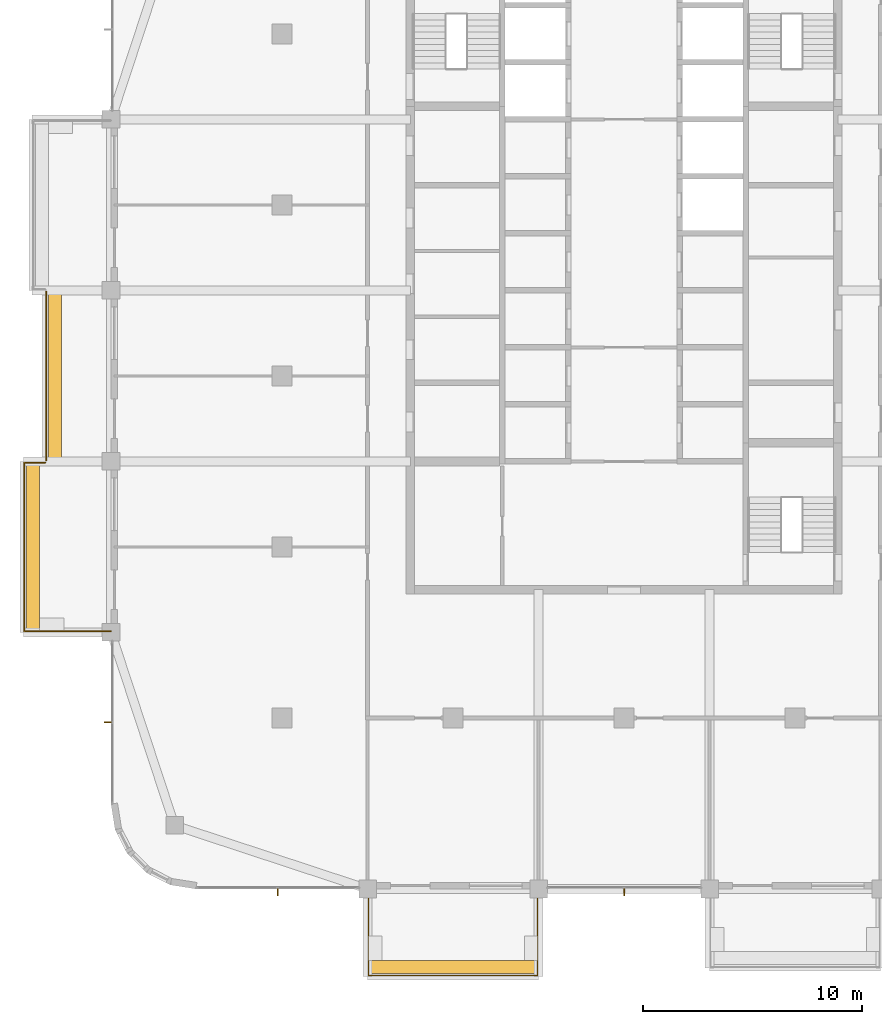
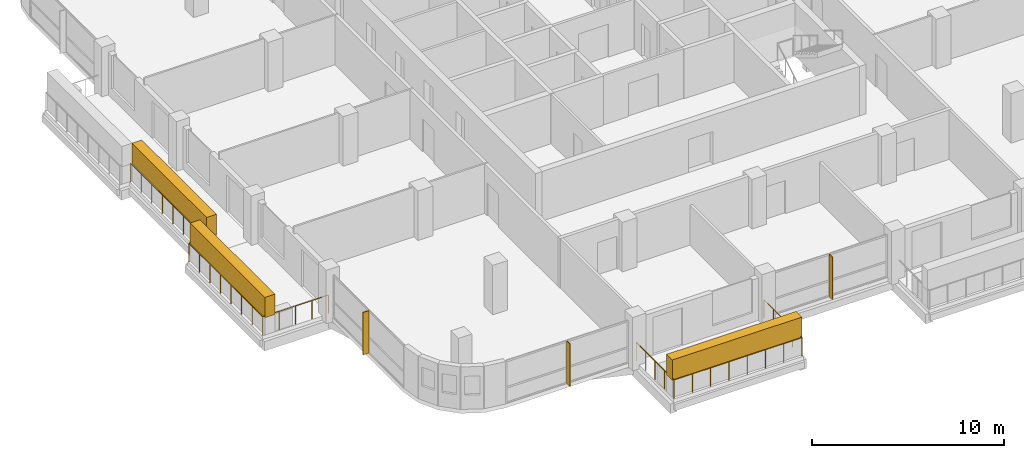
# One storey, part 19 of 22: 3 coverings, 3 railings, 3 shading devices.
"""IFC4 building model written with IfcOpenShell, lengths in metres."""

from ifc_helpers import new_model, si_unit, direction, frame, origin, origin_2d, place, context, subcontext, project, spatial, rectangle, circle, extrude, material, layer, layer_set, type_object, element, save


model = new_model("IFC4")

# Units and contexts
model_context = context("Model", 3, precision=1e-05, world=origin(), true_north=direction((0.0, 1.0)))
body_context = subcontext(model_context, "Body", "Model", "MODEL_VIEW")
ifc_project = project(units=[si_unit("LENGTHUNIT", "METRE"), si_unit("AREAUNIT", "SQUARE_METRE"), si_unit("VOLUMEUNIT", "CUBIC_METRE"), si_unit("PLANEANGLEUNIT", "RADIAN"), si_unit("MASSUNIT", "GRAM", prefix="KILO")], contexts=[model_context])

# Site, building, storey
site_placement = place(None, origin())
site = spatial("IfcSite", under=ifc_project, at=site_placement, CompositionType="ELEMENT")
building_placement = place(site_placement, origin())
building = spatial("IfcBuilding", under=site, at=building_placement, Name="Ludao Terraces", CompositionType="ELEMENT")
storey_placement = place(building_placement, frame((0.0, 0.0, 200.699951171875)))
storey = spatial("IfcBuildingStorey", under=building, at=storey_placement, Name="L54", CompositionType="ELEMENT", Elevation=200.699951171875)

# Railings
ifc_material_1 = material(Name="Stainless steel 304", Category="steel")
railing_type = type_object("IfcRailingType", Name="ENV Balcony glass guard 1200", PredefinedType="GUARDRAIL", material=ifc_material_1)
railing_1_placement = place(storey_placement, frame((73.35009765625, 41.60009765625, 0.0)))
element("IfcRailing", 1, at=railing_1_placement, inside=storey, type_object=railing_type, Name="Balcony guard L54 S1", PredefinedType="GUARDRAIL", context=body_context, shape_type="SweptSolid", body=[
    extrude(circle(Radius=0.02392578125, at=origin_2d()), frame((0.0, 0.0, 1.17578125), z_axis=(0.0, -1.0, 0.0), x_axis=(1.0, 0.0, 0.0)), (0.0, 0.0, 1.0), 3.9501953125),
    extrude(circle(Radius=0.02392578125, at=origin_2d()), frame((0.0, -3.9501953125, 1.17578125), z_axis=(1.0, 0.0, 0.0), x_axis=(0.0, 1.0, 0.0)), (0.0, 0.0, 1.0), 7.699951171875),
    extrude(circle(Radius=0.02392578125, at=origin_2d()), frame((7.699951171875, -3.9501953125, 1.17578125), z_axis=(0.0, 1.0, 0.0), x_axis=(-1.0, 0.0, 0.0)), (0.0, 0.0, 1.0), 3.9501953125),
    extrude(circle(Radius=0.02099609375, at=origin_2d()), origin(), (0.0, 0.0, 1.0), 1.15185546875),
    extrude(circle(Radius=0.02099609375, at=origin_2d()), frame((0.0, -0.987548828125, 0.0)), (0.0, 0.0, 1.0), 1.15185546875),
    extrude(circle(Radius=0.02099609375, at=origin_2d()), frame((0.0, -1.97509765625, 0.0)), (0.0, 0.0, 1.0), 1.15185546875),
    extrude(circle(Radius=0.02099609375, at=origin_2d()), frame((0.0, -2.962646484375, 0.0)), (0.0, 0.0, 1.0), 1.15185546875),
    extrude(circle(Radius=0.02099609375, at=origin_2d()), frame((0.0, -3.9501953125, 0.0)), (0.0, 0.0, 1.0), 1.15185546875),
    extrude(circle(Radius=0.02099609375, at=origin_2d()), frame((1.10009765625, -3.9501953125, 0.0)), (0.0, 0.0, 1.0), 1.15185546875),
    extrude(circle(Radius=0.02099609375, at=origin_2d()), frame((2.199951171875, -3.9501953125, 0.0)), (0.0, 0.0, 1.0), 1.15185546875),
    extrude(circle(Radius=0.02099609375, at=origin_2d()), frame((3.300048828125, -3.9501953125, 0.0)), (0.0, 0.0, 1.0), 1.15185546875),
    extrude(circle(Radius=0.02099609375, at=origin_2d()), frame((4.39990234375, -3.9501953125, 0.0)), (0.0, 0.0, 1.0), 1.15185546875),
    extrude(circle(Radius=0.02099609375, at=origin_2d()), frame((5.5, -3.9501953125, 0.0)), (0.0, 0.0, 1.0), 1.15185546875),
    extrude(circle(Radius=0.02099609375, at=origin_2d()), frame((6.599853515625, -3.9501953125, 0.0)), (0.0, 0.0, 1.0), 1.15185546875),
    extrude(circle(Radius=0.02099609375, at=origin_2d()), frame((7.699951171875, -3.9501953125, 0.0)), (0.0, 0.0, 1.0), 1.15185546875),
    extrude(circle(Radius=0.02099609375, at=origin_2d()), frame((7.699951171875, -2.962646484375, 0.0)), (0.0, 0.0, 1.0), 1.15185546875),
    extrude(circle(Radius=0.02099609375, at=origin_2d()), frame((7.699951171875, -1.97509765625, 0.0)), (0.0, 0.0, 1.0), 1.15185546875),
    extrude(circle(Radius=0.02099609375, at=origin_2d()), frame((7.699951171875, -0.987548828125, 0.0)), (0.0, 0.0, 1.0), 1.15185546875),
    extrude(circle(Radius=0.02099609375, at=origin_2d()), frame((7.699951171875, 0.0, 0.0)), (0.0, 0.0, 1.0), 1.15185546875),
])
railing_2_placement = place(storey_placement, frame((61.60009765625, 53.35009765625, 0.0)))
element("IfcRailing", 2, at=railing_2_placement, inside=storey, type_object=railing_type, Name="Balcony guard L54 W1", PredefinedType="GUARDRAIL", context=body_context, shape_type="SweptSolid", body=[
    extrude(circle(Radius=0.02392578125, at=origin_2d()), frame((0.0, 0.0, 1.17578125), z_axis=(-1.0, 0.0, 0.0), x_axis=(0.0, -1.0, 0.0)), (0.0, 0.0, 1.0), 3.9501953125),
    extrude(circle(Radius=0.02392578125, at=origin_2d()), frame((-3.9501953125, 0.0, 1.17578125), z_axis=(0.0, 1.0, 0.0), x_axis=(-1.0, 0.0, 0.0)), (0.0, 0.0, 1.0), 7.699951171875),
    extrude(circle(Radius=0.02392578125, at=origin_2d()), frame((-3.9501953125, 7.699951171875, 1.17578125), z_axis=(1.0, 0.0, 0.0), x_axis=(0.0, 1.0, 0.0)), (0.0, 0.0, 1.0), 0.9501953125),
    extrude(circle(Radius=0.02099609375, at=origin_2d()), origin(), (0.0, 0.0, 1.0), 1.15185546875),
    extrude(circle(Radius=0.02099609375, at=origin_2d()), frame((-0.987548828125, 0.0, 0.0)), (0.0, 0.0, 1.0), 1.15185546875),
    extrude(circle(Radius=0.02099609375, at=origin_2d()), frame((-1.97509765625, 0.0, 0.0)), (0.0, 0.0, 1.0), 1.15185546875),
    extrude(circle(Radius=0.02099609375, at=origin_2d()), frame((-2.962646484375, 0.0, 0.0)), (0.0, 0.0, 1.0), 1.15185546875),
    extrude(circle(Radius=0.02099609375, at=origin_2d()), frame((-3.9501953125, 0.0, 0.0)), (0.0, 0.0, 1.0), 1.15185546875),
    extrude(circle(Radius=0.02099609375, at=origin_2d()), frame((-3.9501953125, 1.10009765625, 0.0)), (0.0, 0.0, 1.0), 1.15185546875),
    extrude(circle(Radius=0.02099609375, at=origin_2d()), frame((-3.9501953125, 2.199951171875, 0.0)), (0.0, 0.0, 1.0), 1.15185546875),
    extrude(circle(Radius=0.02099609375, at=origin_2d()), frame((-3.9501953125, 3.300048828125, 0.0)), (0.0, 0.0, 1.0), 1.15185546875),
    extrude(circle(Radius=0.02099609375, at=origin_2d()), frame((-3.9501953125, 4.39990234375, 0.0)), (0.0, 0.0, 1.0), 1.15185546875),
    extrude(circle(Radius=0.02099609375, at=origin_2d()), frame((-3.9501953125, 5.5, 0.0)), (0.0, 0.0, 1.0), 1.15185546875),
    extrude(circle(Radius=0.02099609375, at=origin_2d()), frame((-3.9501953125, 6.599853515625, 0.0)), (0.0, 0.0, 1.0), 1.15185546875),
    extrude(circle(Radius=0.02099609375, at=origin_2d()), frame((-3.9501953125, 7.699951171875, 0.0)), (0.0, 0.0, 1.0), 1.15185546875),
    extrude(circle(Radius=0.02099609375, at=origin_2d()), frame((-3.0, 7.699951171875, 0.0)), (0.0, 0.0, 1.0), 1.15185546875),
])
railing_3_placement = place(storey_placement, frame((58.64990234375, 61.14990234375, 0.0)))
element("IfcRailing", 3, at=railing_3_placement, inside=storey, type_object=railing_type, Name="Balcony guard L54 W2", PredefinedType="GUARDRAIL", context=body_context, shape_type="SweptSolid", body=[
    extrude(circle(Radius=0.02392578125, at=origin_2d()), frame((0.0, 0.0, 1.17578125), z_axis=(0.0, 1.0, 0.0), x_axis=(-1.0, 0.0, 0.0)), (0.0, 0.0, 1.0), 7.7001953125),
    extrude(circle(Radius=0.02099609375, at=origin_2d()), origin(), (0.0, 0.0, 1.0), 1.15185546875),
    extrude(circle(Radius=0.02099609375, at=origin_2d()), frame((0.0, 1.10009765625, 0.0)), (0.0, 0.0, 1.0), 1.15185546875),
    extrude(circle(Radius=0.02099609375, at=origin_2d()), frame((0.0, 2.199951171875, 0.0)), (0.0, 0.0, 1.0), 1.15185546875),
    extrude(circle(Radius=0.02099609375, at=origin_2d()), frame((0.0, 3.300048828125, 0.0)), (0.0, 0.0, 1.0), 1.15185546875),
    extrude(circle(Radius=0.02099609375, at=origin_2d()), frame((0.0, 4.400146484375, 0.0)), (0.0, 0.0, 1.0), 1.15185546875),
    extrude(circle(Radius=0.02099609375, at=origin_2d()), frame((0.0, 5.500244140625, 0.0)), (0.0, 0.0, 1.0), 1.15185546875),
    extrude(circle(Radius=0.02099609375, at=origin_2d()), frame((0.0, 6.60009765625, 0.0)), (0.0, 0.0, 1.0), 1.15185546875),
    extrude(circle(Radius=0.02099609375, at=origin_2d()), frame((0.0, 7.7001953125, 0.0)), (0.0, 0.0, 1.0), 1.15185546875),
])

# Coverings
ifc_material_2 = material(Name="Planting")
ifc_layer_1 = layer(ifc_material_2, 0.60009765625)
ifc_layer_set_1 = layer_set([ifc_layer_1], Name="ENV Planting hedge 600x1300")
covering_type = type_object("IfcCoveringType", Name="ENV Planting hedge 600x1300", PredefinedType="USERDEFINED", material=ifc_layer_set_1)
covering_placement = place(storey_placement, frame((77.199951171875, 38.050048828125, 1.10009765625), z_axis=(0.0, 0.0, 1.0), x_axis=(1.0, 0.0, 0.0)))
element("IfcCovering", 4, at=covering_placement, inside=storey, type_object=covering_type, Name="Planting hedge L54-S1", ObjectType="PLANTING", PredefinedType="USERDEFINED", context=body_context, shape_type="SweptSolid", body=[
    extrude(rectangle(XDim=7.800048828125, YDim=0.60009765625, at=origin_2d()), origin(), (0.0, 0.0, 1.0), 1.300048828125),
])
for number, where, z_axis, x_axis, name in (
    (5, (58.050048828125, 57.199951171875, 1.10009765625), (0.0, 0.0, 1.0), (1.0, 0.0, 0.0), "Planting hedge L54-W1"),
    (6, (59.050048828125, 65.0, 1.10009765625), (0.0, 0.0, 1.0), (1.0, 0.0, 0.0), "Planting hedge L54-W2"),
):
    element("IfcCovering", number, at=place(storey_placement, frame(where, z_axis=z_axis, x_axis=x_axis)), inside=storey, type_object=covering_type, Name=name, ObjectType="PLANTING", PredefinedType="USERDEFINED", context=body_context, shape_type="SweptSolid", body=[
        extrude(rectangle(XDim=0.60009765625, YDim=7.800048828125, at=origin_2d()), origin(), (0.0, 0.0, 1.0), 1.300048828125),
    ])

# Shading devices
ifc_material_3 = material(Name="Aluminium 6063-T6", Category="aluminium")
ifc_layer_2 = layer(ifc_material_3, 0.050048828125)
ifc_layer_set_2 = layer_set([ifc_layer_2], Name="ENV Sun fin 50x350")
shading_device_type = type_object("IfcShadingDeviceType", Name="ENV Sun fin 50x350", PredefinedType="USERDEFINED", material=ifc_layer_set_2)
for number, where, z_axis, x_axis, name in (
    (7, (69.199951171875, 41.4599609375, 0.0), (0.0, 0.0, 1.0), (1.0, 0.0, 0.0), "FN-CW-L54-S1-1"),
    (8, (85.0, 41.4599609375, 0.0), (0.0, 0.0, 1.0), (1.0, 0.0, 0.0), "FN-CW-L54-S3-1"),
):
    element("IfcShadingDevice", number, at=place(storey_placement, frame(where, z_axis=z_axis, x_axis=x_axis)), inside=storey, type_object=shading_device_type, Name=name, ObjectType="FIN", PredefinedType="USERDEFINED", context=body_context, shape_type="SweptSolid", body=[
        extrude(rectangle(XDim=0.050048828125, YDim=0.35009765625, at=origin_2d()), origin(), (0.0, 0.0, 1.0), 2.699951171875),
    ])
shading_device_placement = place(storey_placement, frame((61.4599609375, 49.199951171875, 0.0), z_axis=(0.0, 0.0, 1.0), x_axis=(1.0, 0.0, 0.0)))
element("IfcShadingDevice", 9, at=shading_device_placement, inside=storey, type_object=shading_device_type, Name="FN-CW-L54-W1-1", ObjectType="FIN", PredefinedType="USERDEFINED", context=body_context, shape_type="SweptSolid", body=[
    extrude(rectangle(XDim=0.35009765625, YDim=0.050048828125, at=origin_2d()), origin(), (0.0, 0.0, 1.0), 2.699951171875),
])

save(model, "model.ifc")
